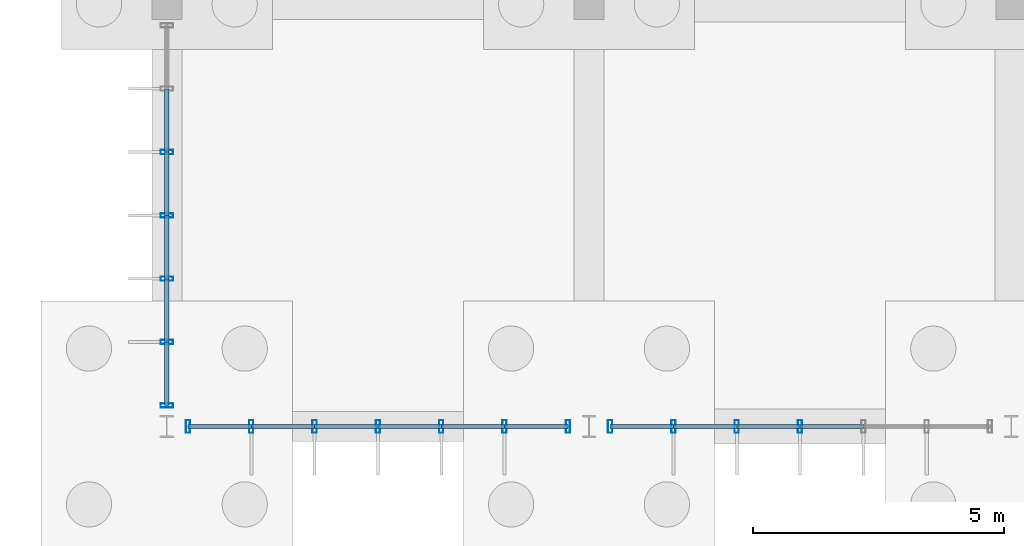
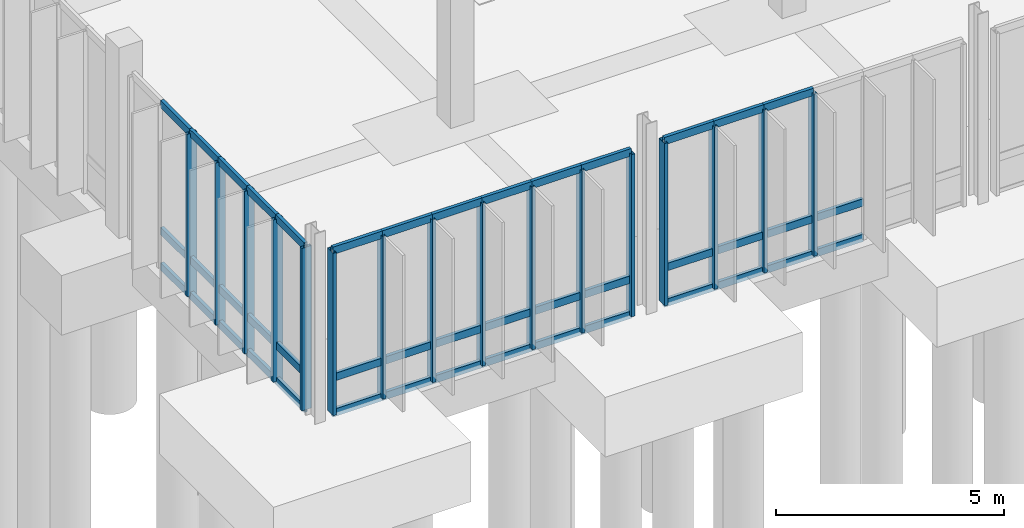
# One storey, part 28 of 119: 60 members, 3 elements without a shape of their own.
"""IFC4 building model written with IfcOpenShell, lengths in metres."""

from ifc_helpers import new_model, si_unit, derived_unit, direction, frame, origin, origin_2d, place, context, subcontext, project, spatial, hollow_rectangle, extrude, material, layer, layer_set, material_profile, profile_set, type_object, element, aggregate, save


model = new_model("IFC4")

# Units and contexts
model_context = context("Model", 3, precision=1e-05, world=origin(), true_north=direction((0.0, 1.0)))
body_context = subcontext(model_context, "Body", "Model", "MODEL_VIEW")
ifc_project = project(units=[si_unit("LENGTHUNIT", "METRE"), si_unit("AREAUNIT", "SQUARE_METRE"), si_unit("VOLUMEUNIT", "CUBIC_METRE"), si_unit("PLANEANGLEUNIT", "RADIAN"), si_unit("MASSUNIT", "GRAM", prefix="KILO"), derived_unit("THERMALTRANSMITTANCEUNIT", [(si_unit("MASSUNIT", "GRAM", prefix="KILO"), 1), (si_unit("TIMEUNIT", "SECOND"), -3), (si_unit("THERMODYNAMICTEMPERATUREUNIT", "KELVIN"), -1)])], contexts=[model_context])

# Site, building, storey
site_placement = place(None, origin())
site = spatial("IfcSite", under=ifc_project, at=site_placement, CompositionType="ELEMENT")
building_placement = place(site_placement, origin())
building = spatial("IfcBuilding", under=site, at=building_placement, Name="Makaiwela Harbour Ferry Terminal", CompositionType="ELEMENT")
storey_placement = place(building_placement, origin())
storey = spatial("IfcBuildingStorey", under=building, at=storey_placement, Name="L00", CompositionType="ELEMENT", Elevation=0.0)

# Curtain wall, members
ifc_material = material(Name="Marine anodised aluminium 6063-T6", Category="aluminium")
ifc_layer = layer(ifc_material, 0.199951171875)
ifc_layer_set = layer_set([ifc_layer], Name="Marine anodised aluminium 6063-T6")
curtain_wall_type = type_object("IfcCurtainWallType", Name="ENV-CW-10", PredefinedType="USERDEFINED", material=ifc_layer_set)
curtain_wall_1_placement = place(storey_placement, origin())
curtain_wall_1 = element("IfcCurtainWall", 1, at=curtain_wall_1_placement, inside=storey, type_object=curtain_wall_type, Name="Unitised Curtain Wall CWA-097", ObjectType="UNITIZED CURTAIN WALL", PredefinedType="USERDEFINED")
ifc_material_profile_1 = material_profile(ifc_material, hollow_rectangle(XDim=0.0849609375, YDim=0.25, WallThickness=0.0048828125, at=origin_2d()), Name="CWM-250X85")
ifc_profile_set_1 = profile_set([ifc_material_profile_1], Name="Marine anodised aluminium 6063-T6")
member_type_1 = type_object("IfcMemberType", Name="CW-MUL-250", PredefinedType="MULLION", material=ifc_profile_set_1)
member_1_placement = place(storey_placement, frame((37.3798828125, 25.199951171875, 0.0), z_axis=(0.0, 0.0, 1.0), x_axis=(1.0, 0.0, 0.0)))
member_1 = element("IfcMember", 2, at=member_1_placement, type_object=member_type_1, Name="Curtain Wall Mullion CWA-097-1", PredefinedType="MULLION", context=body_context, shape_type="SweptSolid", body=[
    extrude(hollow_rectangle(XDim=0.0849609375, YDim=0.25, WallThickness=0.0048828125, at=origin_2d()), origin(), (0.0, 0.0, 1.0), 4.35009765625),
])
member_2_placement = place(storey_placement, frame((36.1201171875, 25.199951171875, 0.0), z_axis=(0.0, 0.0, 1.0), x_axis=(1.0, 0.0, 0.0)))
member_2 = element("IfcMember", 3, at=member_2_placement, type_object=member_type_1, Name="Curtain Wall Mullion CWA-097-2", PredefinedType="MULLION", context=body_context, shape_type="SweptSolid", body=[
    extrude(hollow_rectangle(XDim=0.0849609375, YDim=0.25, WallThickness=0.0048828125, at=origin_2d()), origin(), (0.0, 0.0, 1.0), 4.35009765625),
])
member_3_placement = place(storey_placement, frame((34.860107421875, 25.199951171875, 0.0), z_axis=(0.0, 0.0, 1.0), x_axis=(1.0, 0.0, 0.0)))
member_3 = element("IfcMember", 4, at=member_3_placement, type_object=member_type_1, Name="Curtain Wall Mullion CWA-097-3", PredefinedType="MULLION", context=body_context, shape_type="SweptSolid", body=[
    extrude(hollow_rectangle(XDim=0.0849609375, YDim=0.25, WallThickness=0.0048828125, at=origin_2d()), origin(), (0.0, 0.0, 1.0), 4.35009765625),
])
member_4_placement = place(storey_placement, frame((33.60009765625, 25.199951171875, 0.0), z_axis=(0.0, 0.0, 1.0), x_axis=(1.0, 0.0, 0.0)))
member_4 = element("IfcMember", 5, at=member_4_placement, type_object=member_type_1, Name="Curtain Wall Mullion CWA-097-4", PredefinedType="MULLION", context=body_context, shape_type="SweptSolid", body=[
    extrude(hollow_rectangle(XDim=0.0849609375, YDim=0.25, WallThickness=0.0048828125, at=origin_2d()), origin(), (0.0, 0.0, 1.0), 4.35009765625),
])
member_5_placement = place(storey_placement, frame((32.340087890625, 25.199951171875, 0.0), z_axis=(0.0, 0.0, 1.0), x_axis=(1.0, 0.0, 0.0)))
member_5 = element("IfcMember", 6, at=member_5_placement, type_object=member_type_1, Name="Curtain Wall Mullion CWA-097-5", PredefinedType="MULLION", context=body_context, shape_type="SweptSolid", body=[
    extrude(hollow_rectangle(XDim=0.0849609375, YDim=0.25, WallThickness=0.0048828125, at=origin_2d()), origin(), (0.0, 0.0, 1.0), 4.35009765625),
])
member_6_placement = place(storey_placement, frame((31.080078125, 25.199951171875, 0.0), z_axis=(0.0, 0.0, 1.0), x_axis=(1.0, 0.0, 0.0)))
member_6 = element("IfcMember", 7, at=member_6_placement, type_object=member_type_1, Name="Curtain Wall Mullion CWA-097-6", PredefinedType="MULLION", context=body_context, shape_type="SweptSolid", body=[
    extrude(hollow_rectangle(XDim=0.0849609375, YDim=0.25, WallThickness=0.0048828125, at=origin_2d()), origin(), (0.0, 0.0, 1.0), 4.35009765625),
])
member_7_placement = place(storey_placement, frame((29.820068359375, 25.199951171875, 0.0), z_axis=(0.0, 0.0, 1.0), x_axis=(1.0, 0.0, 0.0)))
member_7 = element("IfcMember", 8, at=member_7_placement, type_object=member_type_1, Name="Curtain Wall Mullion CWA-097-7", PredefinedType="MULLION", context=body_context, shape_type="SweptSolid", body=[
    extrude(hollow_rectangle(XDim=0.0849609375, YDim=0.25, WallThickness=0.0048828125, at=origin_2d()), origin(), (0.0, 0.0, 1.0), 4.35009765625),
])

curtain_wall_2_placement = place(storey_placement, origin())
curtain_wall_2 = element("IfcCurtainWall", 9, at=curtain_wall_2_placement, inside=storey, type_object=curtain_wall_type, Name="Unitised Curtain Wall CWA-100", ObjectType="UNITIZED CURTAIN WALL", PredefinedType="USERDEFINED")
member_8_placement = place(storey_placement, frame((42.0, 25.199951171875, 0.0), z_axis=(0.0, 0.0, 1.0), x_axis=(1.0, 0.0, 0.0)))
member_8 = element("IfcMember", 10, at=member_8_placement, type_object=member_type_1, Name="Curtain Wall Mullion CWA-100-4", PredefinedType="MULLION", context=body_context, shape_type="SweptSolid", body=[
    extrude(hollow_rectangle(XDim=0.0849609375, YDim=0.25, WallThickness=0.0048828125, at=origin_2d()), origin(), (0.0, 0.0, 1.0), 4.35009765625),
])
member_9_placement = place(storey_placement, frame((40.739990234375, 25.199951171875, 0.0), z_axis=(0.0, 0.0, 1.0), x_axis=(1.0, 0.0, 0.0)))
member_9 = element("IfcMember", 11, at=member_9_placement, type_object=member_type_1, Name="Curtain Wall Mullion CWA-100-5", PredefinedType="MULLION", context=body_context, shape_type="SweptSolid", body=[
    extrude(hollow_rectangle(XDim=0.0849609375, YDim=0.25, WallThickness=0.0048828125, at=origin_2d()), origin(), (0.0, 0.0, 1.0), 4.35009765625),
])
member_10_placement = place(storey_placement, frame((39.47998046875, 25.199951171875, 0.0), z_axis=(0.0, 0.0, 1.0), x_axis=(1.0, 0.0, 0.0)))
member_10 = element("IfcMember", 12, at=member_10_placement, type_object=member_type_1, Name="Curtain Wall Mullion CWA-100-6", PredefinedType="MULLION", context=body_context, shape_type="SweptSolid", body=[
    extrude(hollow_rectangle(XDim=0.0849609375, YDim=0.25, WallThickness=0.0048828125, at=origin_2d()), origin(), (0.0, 0.0, 1.0), 4.35009765625),
])
member_11_placement = place(storey_placement, frame((38.219970703125, 25.199951171875, 0.0), z_axis=(0.0, 0.0, 1.0), x_axis=(1.0, 0.0, 0.0)))
member_11 = element("IfcMember", 13, at=member_11_placement, type_object=member_type_1, Name="Curtain Wall Mullion CWA-100-7", PredefinedType="MULLION", context=body_context, shape_type="SweptSolid", body=[
    extrude(hollow_rectangle(XDim=0.0849609375, YDim=0.25, WallThickness=0.0048828125, at=origin_2d()), origin(), (0.0, 0.0, 1.0), 4.35009765625),
])

curtain_wall_3_placement = place(storey_placement, origin())
curtain_wall_3 = element("IfcCurtainWall", 14, at=curtain_wall_3_placement, inside=storey, type_object=curtain_wall_type, Name="Unitised Curtain Wall CWA-114", ObjectType="UNITIZED CURTAIN WALL", PredefinedType="USERDEFINED")
member_12_placement = place(storey_placement, frame((29.39990234375, 25.6201171875, 0.0), z_axis=(0.0, 0.0, 1.0), x_axis=(0.0, 1.0, 0.0)))
member_12 = element("IfcMember", 15, at=member_12_placement, type_object=member_type_1, Name="Curtain Wall Mullion CWA-114-1", PredefinedType="MULLION", context=body_context, shape_type="SweptSolid", body=[
    extrude(hollow_rectangle(XDim=0.0849609375, YDim=0.25, WallThickness=0.0048828125, at=origin_2d()), origin(), (0.0, 0.0, 1.0), 4.35009765625),
])
member_13_placement = place(storey_placement, frame((29.39990234375, 26.8798828125, 0.0), z_axis=(0.0, 0.0, 1.0), x_axis=(0.0, 1.0, 0.0)))
member_13 = element("IfcMember", 16, at=member_13_placement, type_object=member_type_1, Name="Curtain Wall Mullion CWA-114-2", PredefinedType="MULLION", context=body_context, shape_type="SweptSolid", body=[
    extrude(hollow_rectangle(XDim=0.0849609375, YDim=0.25, WallThickness=0.0048828125, at=origin_2d()), origin(), (0.0, 0.0, 1.0), 4.35009765625),
])
member_14_placement = place(storey_placement, frame((29.39990234375, 28.139892578125, 0.0), z_axis=(0.0, 0.0, 1.0), x_axis=(0.0, 1.0, 0.0)))
member_14 = element("IfcMember", 17, at=member_14_placement, type_object=member_type_1, Name="Curtain Wall Mullion CWA-114-3", PredefinedType="MULLION", context=body_context, shape_type="SweptSolid", body=[
    extrude(hollow_rectangle(XDim=0.0849609375, YDim=0.25, WallThickness=0.0048828125, at=origin_2d()), origin(), (0.0, 0.0, 1.0), 4.35009765625),
])
member_15_placement = place(storey_placement, frame((29.39990234375, 29.39990234375, 0.0), z_axis=(0.0, 0.0, 1.0), x_axis=(0.0, 1.0, 0.0)))
member_15 = element("IfcMember", 18, at=member_15_placement, type_object=member_type_1, Name="Curtain Wall Mullion CWA-114-4", PredefinedType="MULLION", context=body_context, shape_type="SweptSolid", body=[
    extrude(hollow_rectangle(XDim=0.0849609375, YDim=0.25, WallThickness=0.0048828125, at=origin_2d()), origin(), (0.0, 0.0, 1.0), 4.35009765625),
])
member_16_placement = place(storey_placement, frame((29.39990234375, 30.659912109375, 0.0), z_axis=(0.0, 0.0, 1.0), x_axis=(0.0, 1.0, 0.0)))
member_16 = element("IfcMember", 19, at=member_16_placement, type_object=member_type_1, Name="Curtain Wall Mullion CWA-114-5", PredefinedType="MULLION", context=body_context, shape_type="SweptSolid", body=[
    extrude(hollow_rectangle(XDim=0.0849609375, YDim=0.25, WallThickness=0.0048828125, at=origin_2d()), origin(), (0.0, 0.0, 1.0), 4.35009765625),
])

# Member
ifc_material_profile_2 = material_profile(ifc_material, hollow_rectangle(XDim=0.0849609375, YDim=0.199951171875, WallThickness=0.0048828125, at=origin_2d()), Name="CWT-200X85")
ifc_profile_set_2 = profile_set([ifc_material_profile_2], Name="Marine anodised aluminium 6063-T6")
member_type_2 = type_object("IfcMemberType", Name="CW-TRN-200", PredefinedType="USERDEFINED", material=ifc_profile_set_2)
member_17_placement = place(storey_placement, frame((37.3798828125, 25.199951171875, 0.0), z_axis=(-1.0, 0.0, 0.0), x_axis=(0.0, -1.0, 0.0)))
member_17 = element("IfcMember", 20, at=member_17_placement, type_object=member_type_2, Name="Curtain Wall Transom CWA-097-1-1", ObjectType="TRANSOM", PredefinedType="USERDEFINED", context=body_context, shape_type="SweptSolid", body=[
    extrude(hollow_rectangle(XDim=0.0849609375, YDim=0.199951171875, WallThickness=0.0048828125, at=origin_2d()), origin(), (0.0, 0.0, 1.0), 1.259765625),
])

member_18_placement = place(storey_placement, frame((37.3798828125, 25.199951171875, 0.949951171875), z_axis=(-1.0, 0.0, 0.0), x_axis=(0.0, -1.0, 0.0)))
member_18 = element("IfcMember", 21, at=member_18_placement, type_object=member_type_2, Name="Curtain Wall Transom CWA-097-1-2", ObjectType="TRANSOM", PredefinedType="USERDEFINED", context=body_context, shape_type="SweptSolid", body=[
    extrude(hollow_rectangle(XDim=0.0849609375, YDim=0.199951171875, WallThickness=0.0048828125, at=origin_2d()), origin(), (0.0, 0.0, 1.0), 1.259765625),
])

member_19_placement = place(storey_placement, frame((37.3798828125, 25.199951171875, 4.35009765625), z_axis=(-1.0, 0.0, 0.0), x_axis=(0.0, -1.0, 0.0)))
member_19 = element("IfcMember", 22, at=member_19_placement, type_object=member_type_2, Name="Curtain Wall Transom CWA-097-1-3", ObjectType="TRANSOM", PredefinedType="USERDEFINED", context=body_context, shape_type="SweptSolid", body=[
    extrude(hollow_rectangle(XDim=0.0849609375, YDim=0.199951171875, WallThickness=0.0048828125, at=origin_2d()), origin(), (0.0, 0.0, 1.0), 1.259765625),
])

member_20_placement = place(storey_placement, frame((36.1201171875, 25.199951171875, 0.0), z_axis=(-1.0, 0.0, 0.0), x_axis=(0.0, -1.0, 0.0)))
member_20 = element("IfcMember", 23, at=member_20_placement, type_object=member_type_2, Name="Curtain Wall Transom CWA-097-2-1", ObjectType="TRANSOM", PredefinedType="USERDEFINED", context=body_context, shape_type="SweptSolid", body=[
    extrude(hollow_rectangle(XDim=0.0849609375, YDim=0.199951171875, WallThickness=0.0048828125, at=origin_2d()), origin(), (0.0, 0.0, 1.0), 1.260009765625),
])

member_21_placement = place(storey_placement, frame((36.1201171875, 25.199951171875, 0.949951171875), z_axis=(-1.0, 0.0, 0.0), x_axis=(0.0, -1.0, 0.0)))
member_21 = element("IfcMember", 24, at=member_21_placement, type_object=member_type_2, Name="Curtain Wall Transom CWA-097-2-2", ObjectType="TRANSOM", PredefinedType="USERDEFINED", context=body_context, shape_type="SweptSolid", body=[
    extrude(hollow_rectangle(XDim=0.0849609375, YDim=0.199951171875, WallThickness=0.0048828125, at=origin_2d()), origin(), (0.0, 0.0, 1.0), 1.260009765625),
])

member_22_placement = place(storey_placement, frame((36.1201171875, 25.199951171875, 4.35009765625), z_axis=(-1.0, 0.0, 0.0), x_axis=(0.0, -1.0, 0.0)))
member_22 = element("IfcMember", 25, at=member_22_placement, type_object=member_type_2, Name="Curtain Wall Transom CWA-097-2-3", ObjectType="TRANSOM", PredefinedType="USERDEFINED", context=body_context, shape_type="SweptSolid", body=[
    extrude(hollow_rectangle(XDim=0.0849609375, YDim=0.199951171875, WallThickness=0.0048828125, at=origin_2d()), origin(), (0.0, 0.0, 1.0), 1.260009765625),
])

member_23_placement = place(storey_placement, frame((34.860107421875, 25.199951171875, 0.0), z_axis=(-1.0, 0.0, 0.0), x_axis=(0.0, -1.0, 0.0)))
member_23 = element("IfcMember", 26, at=member_23_placement, type_object=member_type_2, Name="Curtain Wall Transom CWA-097-3-1", ObjectType="TRANSOM", PredefinedType="USERDEFINED", context=body_context, shape_type="SweptSolid", body=[
    extrude(hollow_rectangle(XDim=0.0849609375, YDim=0.199951171875, WallThickness=0.0048828125, at=origin_2d()), origin(), (0.0, 0.0, 1.0), 1.260009765625),
])

member_24_placement = place(storey_placement, frame((34.860107421875, 25.199951171875, 0.949951171875), z_axis=(-1.0, 0.0, 0.0), x_axis=(0.0, -1.0, 0.0)))
member_24 = element("IfcMember", 27, at=member_24_placement, type_object=member_type_2, Name="Curtain Wall Transom CWA-097-3-2", ObjectType="TRANSOM", PredefinedType="USERDEFINED", context=body_context, shape_type="SweptSolid", body=[
    extrude(hollow_rectangle(XDim=0.0849609375, YDim=0.199951171875, WallThickness=0.0048828125, at=origin_2d()), origin(), (0.0, 0.0, 1.0), 1.260009765625),
])

member_25_placement = place(storey_placement, frame((34.860107421875, 25.199951171875, 4.35009765625), z_axis=(-1.0, 0.0, 0.0), x_axis=(0.0, -1.0, 0.0)))
member_25 = element("IfcMember", 28, at=member_25_placement, type_object=member_type_2, Name="Curtain Wall Transom CWA-097-3-3", ObjectType="TRANSOM", PredefinedType="USERDEFINED", context=body_context, shape_type="SweptSolid", body=[
    extrude(hollow_rectangle(XDim=0.0849609375, YDim=0.199951171875, WallThickness=0.0048828125, at=origin_2d()), origin(), (0.0, 0.0, 1.0), 1.260009765625),
])

member_26_placement = place(storey_placement, frame((33.60009765625, 25.199951171875, 0.0), z_axis=(-1.0, 0.0, 0.0), x_axis=(0.0, -1.0, 0.0)))
member_26 = element("IfcMember", 29, at=member_26_placement, type_object=member_type_2, Name="Curtain Wall Transom CWA-097-4-1", ObjectType="TRANSOM", PredefinedType="USERDEFINED", context=body_context, shape_type="SweptSolid", body=[
    extrude(hollow_rectangle(XDim=0.0849609375, YDim=0.199951171875, WallThickness=0.0048828125, at=origin_2d()), origin(), (0.0, 0.0, 1.0), 1.260009765625),
])

member_27_placement = place(storey_placement, frame((33.60009765625, 25.199951171875, 0.949951171875), z_axis=(-1.0, 0.0, 0.0), x_axis=(0.0, -1.0, 0.0)))
member_27 = element("IfcMember", 30, at=member_27_placement, type_object=member_type_2, Name="Curtain Wall Transom CWA-097-4-2", ObjectType="TRANSOM", PredefinedType="USERDEFINED", context=body_context, shape_type="SweptSolid", body=[
    extrude(hollow_rectangle(XDim=0.0849609375, YDim=0.199951171875, WallThickness=0.0048828125, at=origin_2d()), origin(), (0.0, 0.0, 1.0), 1.260009765625),
])

member_28_placement = place(storey_placement, frame((33.60009765625, 25.199951171875, 4.35009765625), z_axis=(-1.0, 0.0, 0.0), x_axis=(0.0, -1.0, 0.0)))
member_28 = element("IfcMember", 31, at=member_28_placement, type_object=member_type_2, Name="Curtain Wall Transom CWA-097-4-3", ObjectType="TRANSOM", PredefinedType="USERDEFINED", context=body_context, shape_type="SweptSolid", body=[
    extrude(hollow_rectangle(XDim=0.0849609375, YDim=0.199951171875, WallThickness=0.0048828125, at=origin_2d()), origin(), (0.0, 0.0, 1.0), 1.260009765625),
])

member_29_placement = place(storey_placement, frame((32.340087890625, 25.199951171875, 0.0), z_axis=(-1.0, 0.0, 0.0), x_axis=(0.0, -1.0, 0.0)))
member_29 = element("IfcMember", 32, at=member_29_placement, type_object=member_type_2, Name="Curtain Wall Transom CWA-097-5-1", ObjectType="TRANSOM", PredefinedType="USERDEFINED", context=body_context, shape_type="SweptSolid", body=[
    extrude(hollow_rectangle(XDim=0.0849609375, YDim=0.199951171875, WallThickness=0.0048828125, at=origin_2d()), origin(), (0.0, 0.0, 1.0), 1.260009765625),
])

member_30_placement = place(storey_placement, frame((32.340087890625, 25.199951171875, 0.949951171875), z_axis=(-1.0, 0.0, 0.0), x_axis=(0.0, -1.0, 0.0)))
member_30 = element("IfcMember", 33, at=member_30_placement, type_object=member_type_2, Name="Curtain Wall Transom CWA-097-5-2", ObjectType="TRANSOM", PredefinedType="USERDEFINED", context=body_context, shape_type="SweptSolid", body=[
    extrude(hollow_rectangle(XDim=0.0849609375, YDim=0.199951171875, WallThickness=0.0048828125, at=origin_2d()), origin(), (0.0, 0.0, 1.0), 1.260009765625),
])

member_31_placement = place(storey_placement, frame((32.340087890625, 25.199951171875, 4.35009765625), z_axis=(-1.0, 0.0, 0.0), x_axis=(0.0, -1.0, 0.0)))
member_31 = element("IfcMember", 34, at=member_31_placement, type_object=member_type_2, Name="Curtain Wall Transom CWA-097-5-3", ObjectType="TRANSOM", PredefinedType="USERDEFINED", context=body_context, shape_type="SweptSolid", body=[
    extrude(hollow_rectangle(XDim=0.0849609375, YDim=0.199951171875, WallThickness=0.0048828125, at=origin_2d()), origin(), (0.0, 0.0, 1.0), 1.260009765625),
])

member_32_placement = place(storey_placement, frame((31.080078125, 25.199951171875, 0.0), z_axis=(-1.0, 0.0, 0.0), x_axis=(0.0, -1.0, 0.0)))
member_32 = element("IfcMember", 35, at=member_32_placement, type_object=member_type_2, Name="Curtain Wall Transom CWA-097-6-1", ObjectType="TRANSOM", PredefinedType="USERDEFINED", context=body_context, shape_type="SweptSolid", body=[
    extrude(hollow_rectangle(XDim=0.0849609375, YDim=0.199951171875, WallThickness=0.0048828125, at=origin_2d()), origin(), (0.0, 0.0, 1.0), 1.260009765625),
])

member_33_placement = place(storey_placement, frame((31.080078125, 25.199951171875, 0.949951171875), z_axis=(-1.0, 0.0, 0.0), x_axis=(0.0, -1.0, 0.0)))
member_33 = element("IfcMember", 36, at=member_33_placement, type_object=member_type_2, Name="Curtain Wall Transom CWA-097-6-2", ObjectType="TRANSOM", PredefinedType="USERDEFINED", context=body_context, shape_type="SweptSolid", body=[
    extrude(hollow_rectangle(XDim=0.0849609375, YDim=0.199951171875, WallThickness=0.0048828125, at=origin_2d()), origin(), (0.0, 0.0, 1.0), 1.260009765625),
])

member_34_placement = place(storey_placement, frame((31.080078125, 25.199951171875, 4.35009765625), z_axis=(-1.0, 0.0, 0.0), x_axis=(0.0, -1.0, 0.0)))
member_34 = element("IfcMember", 37, at=member_34_placement, type_object=member_type_2, Name="Curtain Wall Transom CWA-097-6-3", ObjectType="TRANSOM", PredefinedType="USERDEFINED", context=body_context, shape_type="SweptSolid", body=[
    extrude(hollow_rectangle(XDim=0.0849609375, YDim=0.199951171875, WallThickness=0.0048828125, at=origin_2d()), origin(), (0.0, 0.0, 1.0), 1.260009765625),
])

aggregate(curtain_wall_1, [member_1, member_2, member_3, member_4, member_5, member_6, member_7, member_17, member_18, member_19, member_20, member_21, member_22, member_23, member_24, member_25, member_26, member_27, member_28, member_29, member_30, member_31, member_32, member_33, member_34])

member_35_placement = place(storey_placement, frame((43.260009765625, 25.199951171875, 0.0), z_axis=(-1.0, 0.0, 0.0), x_axis=(0.0, -1.0, 0.0)))
member_35 = element("IfcMember", 38, at=member_35_placement, type_object=member_type_2, Name="Curtain Wall Transom CWA-100-3-1", ObjectType="TRANSOM", PredefinedType="USERDEFINED", context=body_context, shape_type="SweptSolid", body=[
    extrude(hollow_rectangle(XDim=0.0849609375, YDim=0.199951171875, WallThickness=0.0048828125, at=origin_2d()), origin(), (0.0, 0.0, 1.0), 1.260009765625),
])

member_36_placement = place(storey_placement, frame((43.260009765625, 25.199951171875, 0.949951171875), z_axis=(-1.0, 0.0, 0.0), x_axis=(0.0, -1.0, 0.0)))
member_36 = element("IfcMember", 39, at=member_36_placement, type_object=member_type_2, Name="Curtain Wall Transom CWA-100-3-2", ObjectType="TRANSOM", PredefinedType="USERDEFINED", context=body_context, shape_type="SweptSolid", body=[
    extrude(hollow_rectangle(XDim=0.0849609375, YDim=0.199951171875, WallThickness=0.0048828125, at=origin_2d()), origin(), (0.0, 0.0, 1.0), 1.260009765625),
])

member_37_placement = place(storey_placement, frame((42.0, 25.199951171875, 0.0), z_axis=(-1.0, 0.0, 0.0), x_axis=(0.0, -1.0, 0.0)))
member_37 = element("IfcMember", 40, at=member_37_placement, type_object=member_type_2, Name="Curtain Wall Transom CWA-100-4-1", ObjectType="TRANSOM", PredefinedType="USERDEFINED", context=body_context, shape_type="SweptSolid", body=[
    extrude(hollow_rectangle(XDim=0.0849609375, YDim=0.199951171875, WallThickness=0.0048828125, at=origin_2d()), origin(), (0.0, 0.0, 1.0), 1.260009765625),
])

member_38_placement = place(storey_placement, frame((42.0, 25.199951171875, 0.949951171875), z_axis=(-1.0, 0.0, 0.0), x_axis=(0.0, -1.0, 0.0)))
member_38 = element("IfcMember", 41, at=member_38_placement, type_object=member_type_2, Name="Curtain Wall Transom CWA-100-4-2", ObjectType="TRANSOM", PredefinedType="USERDEFINED", context=body_context, shape_type="SweptSolid", body=[
    extrude(hollow_rectangle(XDim=0.0849609375, YDim=0.199951171875, WallThickness=0.0048828125, at=origin_2d()), origin(), (0.0, 0.0, 1.0), 1.260009765625),
])

member_39_placement = place(storey_placement, frame((42.0, 25.199951171875, 4.35009765625), z_axis=(-1.0, 0.0, 0.0), x_axis=(0.0, -1.0, 0.0)))
member_39 = element("IfcMember", 42, at=member_39_placement, type_object=member_type_2, Name="Curtain Wall Transom CWA-100-4-3", ObjectType="TRANSOM", PredefinedType="USERDEFINED", context=body_context, shape_type="SweptSolid", body=[
    extrude(hollow_rectangle(XDim=0.0849609375, YDim=0.199951171875, WallThickness=0.0048828125, at=origin_2d()), origin(), (0.0, 0.0, 1.0), 1.260009765625),
])

member_40_placement = place(storey_placement, frame((40.739990234375, 25.199951171875, 0.0), z_axis=(-1.0, 0.0, 0.0), x_axis=(0.0, -1.0, 0.0)))
member_40 = element("IfcMember", 43, at=member_40_placement, type_object=member_type_2, Name="Curtain Wall Transom CWA-100-5-1", ObjectType="TRANSOM", PredefinedType="USERDEFINED", context=body_context, shape_type="SweptSolid", body=[
    extrude(hollow_rectangle(XDim=0.0849609375, YDim=0.199951171875, WallThickness=0.0048828125, at=origin_2d()), origin(), (0.0, 0.0, 1.0), 1.260009765625),
])

member_41_placement = place(storey_placement, frame((40.739990234375, 25.199951171875, 0.949951171875), z_axis=(-1.0, 0.0, 0.0), x_axis=(0.0, -1.0, 0.0)))
member_41 = element("IfcMember", 44, at=member_41_placement, type_object=member_type_2, Name="Curtain Wall Transom CWA-100-5-2", ObjectType="TRANSOM", PredefinedType="USERDEFINED", context=body_context, shape_type="SweptSolid", body=[
    extrude(hollow_rectangle(XDim=0.0849609375, YDim=0.199951171875, WallThickness=0.0048828125, at=origin_2d()), origin(), (0.0, 0.0, 1.0), 1.260009765625),
])

member_42_placement = place(storey_placement, frame((40.739990234375, 25.199951171875, 4.35009765625), z_axis=(-1.0, 0.0, 0.0), x_axis=(0.0, -1.0, 0.0)))
member_42 = element("IfcMember", 45, at=member_42_placement, type_object=member_type_2, Name="Curtain Wall Transom CWA-100-5-3", ObjectType="TRANSOM", PredefinedType="USERDEFINED", context=body_context, shape_type="SweptSolid", body=[
    extrude(hollow_rectangle(XDim=0.0849609375, YDim=0.199951171875, WallThickness=0.0048828125, at=origin_2d()), origin(), (0.0, 0.0, 1.0), 1.260009765625),
])

member_43_placement = place(storey_placement, frame((39.47998046875, 25.199951171875, 0.0), z_axis=(-1.0, 0.0, 0.0), x_axis=(0.0, -1.0, 0.0)))
member_43 = element("IfcMember", 46, at=member_43_placement, type_object=member_type_2, Name="Curtain Wall Transom CWA-100-6-1", ObjectType="TRANSOM", PredefinedType="USERDEFINED", context=body_context, shape_type="SweptSolid", body=[
    extrude(hollow_rectangle(XDim=0.0849609375, YDim=0.199951171875, WallThickness=0.0048828125, at=origin_2d()), origin(), (0.0, 0.0, 1.0), 1.260009765625),
])

member_44_placement = place(storey_placement, frame((39.47998046875, 25.199951171875, 0.949951171875), z_axis=(-1.0, 0.0, 0.0), x_axis=(0.0, -1.0, 0.0)))
member_44 = element("IfcMember", 47, at=member_44_placement, type_object=member_type_2, Name="Curtain Wall Transom CWA-100-6-2", ObjectType="TRANSOM", PredefinedType="USERDEFINED", context=body_context, shape_type="SweptSolid", body=[
    extrude(hollow_rectangle(XDim=0.0849609375, YDim=0.199951171875, WallThickness=0.0048828125, at=origin_2d()), origin(), (0.0, 0.0, 1.0), 1.260009765625),
])

member_45_placement = place(storey_placement, frame((39.47998046875, 25.199951171875, 4.35009765625), z_axis=(-1.0, 0.0, 0.0), x_axis=(0.0, -1.0, 0.0)))
member_45 = element("IfcMember", 48, at=member_45_placement, type_object=member_type_2, Name="Curtain Wall Transom CWA-100-6-3", ObjectType="TRANSOM", PredefinedType="USERDEFINED", context=body_context, shape_type="SweptSolid", body=[
    extrude(hollow_rectangle(XDim=0.0849609375, YDim=0.199951171875, WallThickness=0.0048828125, at=origin_2d()), origin(), (0.0, 0.0, 1.0), 1.260009765625),
])

aggregate(curtain_wall_2, [member_8, member_9, member_10, member_11, member_35, member_36, member_37, member_38, member_39, member_40, member_41, member_42, member_43, member_44, member_45])

member_46_placement = place(storey_placement, frame((29.39990234375, 25.6201171875, 0.0), z_axis=(0.0, 1.0, 0.0), x_axis=(-1.0, 0.0, 0.0)))
member_46 = element("IfcMember", 49, at=member_46_placement, type_object=member_type_2, Name="Curtain Wall Transom CWA-114-1-1", ObjectType="TRANSOM", PredefinedType="USERDEFINED", context=body_context, shape_type="SweptSolid", body=[
    extrude(hollow_rectangle(XDim=0.0849609375, YDim=0.199951171875, WallThickness=0.0048828125, at=origin_2d()), origin(), (0.0, 0.0, 1.0), 1.259765625),
])

member_47_placement = place(storey_placement, frame((29.39990234375, 25.6201171875, 0.949951171875), z_axis=(0.0, 1.0, 0.0), x_axis=(-1.0, 0.0, 0.0)))
member_47 = element("IfcMember", 50, at=member_47_placement, type_object=member_type_2, Name="Curtain Wall Transom CWA-114-1-2", ObjectType="TRANSOM", PredefinedType="USERDEFINED", context=body_context, shape_type="SweptSolid", body=[
    extrude(hollow_rectangle(XDim=0.0849609375, YDim=0.199951171875, WallThickness=0.0048828125, at=origin_2d()), origin(), (0.0, 0.0, 1.0), 1.259765625),
])

member_48_placement = place(storey_placement, frame((29.39990234375, 25.6201171875, 4.35009765625), z_axis=(0.0, 1.0, 0.0), x_axis=(-1.0, 0.0, 0.0)))
member_48 = element("IfcMember", 51, at=member_48_placement, type_object=member_type_2, Name="Curtain Wall Transom CWA-114-1-3", ObjectType="TRANSOM", PredefinedType="USERDEFINED", context=body_context, shape_type="SweptSolid", body=[
    extrude(hollow_rectangle(XDim=0.0849609375, YDim=0.199951171875, WallThickness=0.0048828125, at=origin_2d()), origin(), (0.0, 0.0, 1.0), 1.259765625),
])

member_49_placement = place(storey_placement, frame((29.39990234375, 26.8798828125, 0.0), z_axis=(0.0, 1.0, 0.0), x_axis=(-1.0, 0.0, 0.0)))
member_49 = element("IfcMember", 52, at=member_49_placement, type_object=member_type_2, Name="Curtain Wall Transom CWA-114-2-1", ObjectType="TRANSOM", PredefinedType="USERDEFINED", context=body_context, shape_type="SweptSolid", body=[
    extrude(hollow_rectangle(XDim=0.0849609375, YDim=0.199951171875, WallThickness=0.0048828125, at=origin_2d()), origin(), (0.0, 0.0, 1.0), 1.260009765625),
])

member_50_placement = place(storey_placement, frame((29.39990234375, 26.8798828125, 0.949951171875), z_axis=(0.0, 1.0, 0.0), x_axis=(-1.0, 0.0, 0.0)))
member_50 = element("IfcMember", 53, at=member_50_placement, type_object=member_type_2, Name="Curtain Wall Transom CWA-114-2-2", ObjectType="TRANSOM", PredefinedType="USERDEFINED", context=body_context, shape_type="SweptSolid", body=[
    extrude(hollow_rectangle(XDim=0.0849609375, YDim=0.199951171875, WallThickness=0.0048828125, at=origin_2d()), origin(), (0.0, 0.0, 1.0), 1.260009765625),
])

member_51_placement = place(storey_placement, frame((29.39990234375, 26.8798828125, 4.35009765625), z_axis=(0.0, 1.0, 0.0), x_axis=(-1.0, 0.0, 0.0)))
member_51 = element("IfcMember", 54, at=member_51_placement, type_object=member_type_2, Name="Curtain Wall Transom CWA-114-2-3", ObjectType="TRANSOM", PredefinedType="USERDEFINED", context=body_context, shape_type="SweptSolid", body=[
    extrude(hollow_rectangle(XDim=0.0849609375, YDim=0.199951171875, WallThickness=0.0048828125, at=origin_2d()), origin(), (0.0, 0.0, 1.0), 1.260009765625),
])

member_52_placement = place(storey_placement, frame((29.39990234375, 28.139892578125, 0.0), z_axis=(0.0, 1.0, 0.0), x_axis=(-1.0, 0.0, 0.0)))
member_52 = element("IfcMember", 55, at=member_52_placement, type_object=member_type_2, Name="Curtain Wall Transom CWA-114-3-1", ObjectType="TRANSOM", PredefinedType="USERDEFINED", context=body_context, shape_type="SweptSolid", body=[
    extrude(hollow_rectangle(XDim=0.0849609375, YDim=0.199951171875, WallThickness=0.0048828125, at=origin_2d()), origin(), (0.0, 0.0, 1.0), 1.260009765625),
])

member_53_placement = place(storey_placement, frame((29.39990234375, 28.139892578125, 0.949951171875), z_axis=(0.0, 1.0, 0.0), x_axis=(-1.0, 0.0, 0.0)))
member_53 = element("IfcMember", 56, at=member_53_placement, type_object=member_type_2, Name="Curtain Wall Transom CWA-114-3-2", ObjectType="TRANSOM", PredefinedType="USERDEFINED", context=body_context, shape_type="SweptSolid", body=[
    extrude(hollow_rectangle(XDim=0.0849609375, YDim=0.199951171875, WallThickness=0.0048828125, at=origin_2d()), origin(), (0.0, 0.0, 1.0), 1.260009765625),
])

member_54_placement = place(storey_placement, frame((29.39990234375, 28.139892578125, 4.35009765625), z_axis=(0.0, 1.0, 0.0), x_axis=(-1.0, 0.0, 0.0)))
member_54 = element("IfcMember", 57, at=member_54_placement, type_object=member_type_2, Name="Curtain Wall Transom CWA-114-3-3", ObjectType="TRANSOM", PredefinedType="USERDEFINED", context=body_context, shape_type="SweptSolid", body=[
    extrude(hollow_rectangle(XDim=0.0849609375, YDim=0.199951171875, WallThickness=0.0048828125, at=origin_2d()), origin(), (0.0, 0.0, 1.0), 1.260009765625),
])

member_55_placement = place(storey_placement, frame((29.39990234375, 29.39990234375, 0.0), z_axis=(0.0, 1.0, 0.0), x_axis=(-1.0, 0.0, 0.0)))
member_55 = element("IfcMember", 58, at=member_55_placement, type_object=member_type_2, Name="Curtain Wall Transom CWA-114-4-1", ObjectType="TRANSOM", PredefinedType="USERDEFINED", context=body_context, shape_type="SweptSolid", body=[
    extrude(hollow_rectangle(XDim=0.0849609375, YDim=0.199951171875, WallThickness=0.0048828125, at=origin_2d()), origin(), (0.0, 0.0, 1.0), 1.260009765625),
])

member_56_placement = place(storey_placement, frame((29.39990234375, 29.39990234375, 0.949951171875), z_axis=(0.0, 1.0, 0.0), x_axis=(-1.0, 0.0, 0.0)))
member_56 = element("IfcMember", 59, at=member_56_placement, type_object=member_type_2, Name="Curtain Wall Transom CWA-114-4-2", ObjectType="TRANSOM", PredefinedType="USERDEFINED", context=body_context, shape_type="SweptSolid", body=[
    extrude(hollow_rectangle(XDim=0.0849609375, YDim=0.199951171875, WallThickness=0.0048828125, at=origin_2d()), origin(), (0.0, 0.0, 1.0), 1.260009765625),
])

member_57_placement = place(storey_placement, frame((29.39990234375, 29.39990234375, 4.35009765625), z_axis=(0.0, 1.0, 0.0), x_axis=(-1.0, 0.0, 0.0)))
member_57 = element("IfcMember", 60, at=member_57_placement, type_object=member_type_2, Name="Curtain Wall Transom CWA-114-4-3", ObjectType="TRANSOM", PredefinedType="USERDEFINED", context=body_context, shape_type="SweptSolid", body=[
    extrude(hollow_rectangle(XDim=0.0849609375, YDim=0.199951171875, WallThickness=0.0048828125, at=origin_2d()), origin(), (0.0, 0.0, 1.0), 1.260009765625),
])

member_58_placement = place(storey_placement, frame((29.39990234375, 30.659912109375, 0.0), z_axis=(0.0, 1.0, 0.0), x_axis=(-1.0, 0.0, 0.0)))
member_58 = element("IfcMember", 61, at=member_58_placement, type_object=member_type_2, Name="Curtain Wall Transom CWA-114-5-1", ObjectType="TRANSOM", PredefinedType="USERDEFINED", context=body_context, shape_type="SweptSolid", body=[
    extrude(hollow_rectangle(XDim=0.0849609375, YDim=0.199951171875, WallThickness=0.0048828125, at=origin_2d()), origin(), (0.0, 0.0, 1.0), 1.260009765625),
])

member_59_placement = place(storey_placement, frame((29.39990234375, 30.659912109375, 0.949951171875), z_axis=(0.0, 1.0, 0.0), x_axis=(-1.0, 0.0, 0.0)))
member_59 = element("IfcMember", 62, at=member_59_placement, type_object=member_type_2, Name="Curtain Wall Transom CWA-114-5-2", ObjectType="TRANSOM", PredefinedType="USERDEFINED", context=body_context, shape_type="SweptSolid", body=[
    extrude(hollow_rectangle(XDim=0.0849609375, YDim=0.199951171875, WallThickness=0.0048828125, at=origin_2d()), origin(), (0.0, 0.0, 1.0), 1.260009765625),
])

member_60_placement = place(storey_placement, frame((29.39990234375, 30.659912109375, 4.35009765625), z_axis=(0.0, 1.0, 0.0), x_axis=(-1.0, 0.0, 0.0)))
member_60 = element("IfcMember", 63, at=member_60_placement, type_object=member_type_2, Name="Curtain Wall Transom CWA-114-5-3", ObjectType="TRANSOM", PredefinedType="USERDEFINED", context=body_context, shape_type="SweptSolid", body=[
    extrude(hollow_rectangle(XDim=0.0849609375, YDim=0.199951171875, WallThickness=0.0048828125, at=origin_2d()), origin(), (0.0, 0.0, 1.0), 1.260009765625),
])

aggregate(curtain_wall_3, [member_12, member_13, member_14, member_15, member_16, member_46, member_47, member_48, member_49, member_50, member_51, member_52, member_53, member_54, member_55, member_56, member_57, member_58, member_59, member_60])

save(model, "model.ifc")
